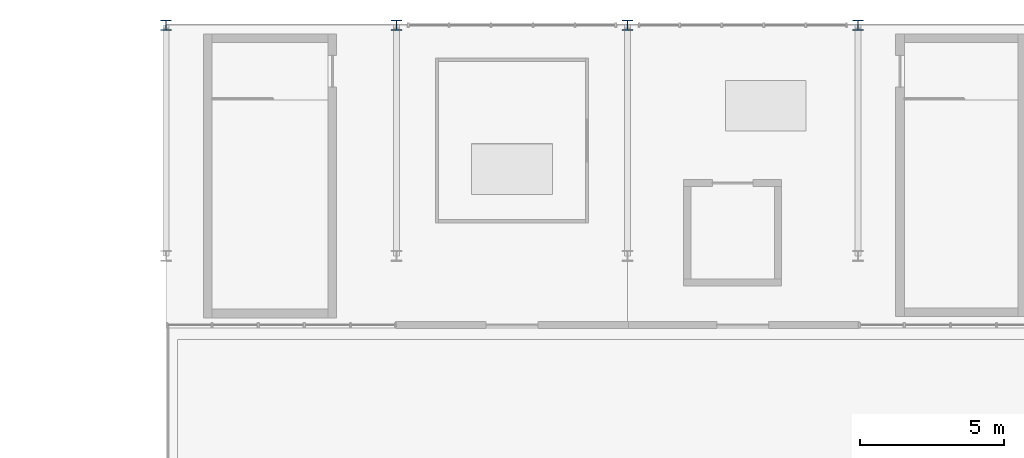
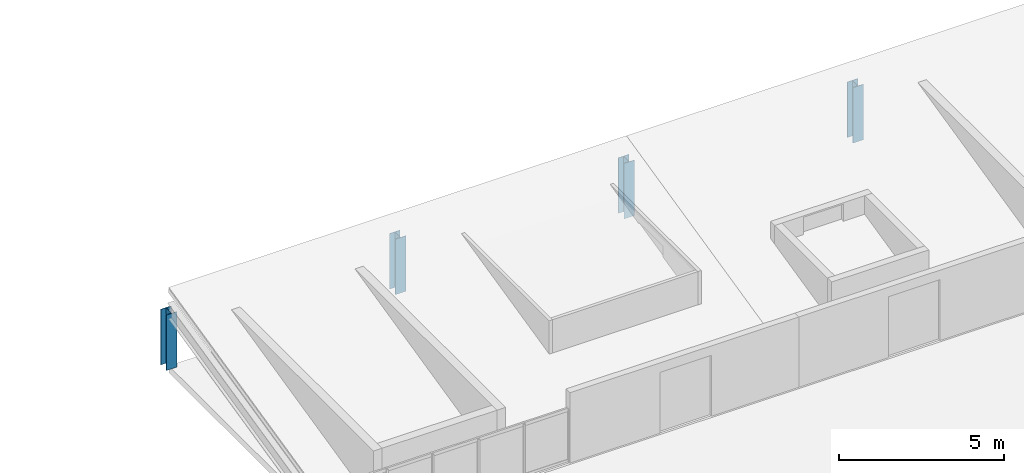
# One storey, part 10 of 83: 4 columns.
"""IFC4 building model written with IfcOpenShell, lengths in metres."""

from ifc_helpers import new_model, si_unit, direction, frame, origin, origin_2d, place, context, subcontext, project, spatial, i_section, extrude, material, material_profile, profile_set, type_object, element, save


model = new_model("IFC4")

# Units and contexts
model_context = context("Model", 3, precision=1e-05, world=origin(), true_north=direction((0.0, 1.0)))
body_context = subcontext(model_context, "Body", "Model", "MODEL_VIEW")
ifc_project = project(units=[si_unit("LENGTHUNIT", "METRE"), si_unit("AREAUNIT", "SQUARE_METRE"), si_unit("VOLUMEUNIT", "CUBIC_METRE"), si_unit("PLANEANGLEUNIT", "RADIAN"), si_unit("MASSUNIT", "GRAM", prefix="KILO")], contexts=[model_context])

# Site, building, storey
site_placement = place(None, origin())
site = spatial("IfcSite", under=ifc_project, at=site_placement, CompositionType="ELEMENT")
building_placement = place(site_placement, origin())
building = spatial("IfcBuilding", under=site, at=building_placement, Name="Drelvath Fold Interchange", CompositionType="ELEMENT")
storey_placement = place(building_placement, frame((0.0, 0.0, 11.199951171875)))
storey = spatial("IfcBuildingStorey", under=building, at=storey_placement, Name="L02", CompositionType="ELEMENT", Elevation=11.199951171875)

# Columns
ifc_material = material(Name="Steel ASTM A992 Grade 50", Category="steel")
ifc_material_profile = material_profile(ifc_material, i_section(OverallWidth=0.368896484375, OverallDepth=0.35595703125, WebThickness=0.01123046875, FlangeThickness=0.01806640625, at=origin_2d()), Name="W14X90")
ifc_profile_set = profile_set([ifc_material_profile], Name="Steel ASTM A992 Grade 50")
column_type = type_object("IfcColumnType", Name="COL-W14X90", PredefinedType="COLUMN", material=ifc_profile_set)
for number, where, z_axis, x_axis, name in (
    (1, (102.0, 107.0, 0.0), (0.0, 0.0, 1.0), (1.0, 0.0, 0.0), "L02 column (102,107)"),
    (2, (110.0, 107.0, 0.0), (0.0, 0.0, 1.0), (1.0, 0.0, 0.0), "L02 column (110,107)"),
    (3, (118.0, 107.0, 0.0), (0.0, 0.0, 1.0), (1.0, 0.0, 0.0), "L02 column (118,107)"),
    (4, (126.0, 107.0, 0.0), (0.0, 0.0, 1.0), (1.0, 0.0, 0.0), "L02 column (126,107)"),
):
    element("IfcColumn", number, at=place(storey_placement, frame(where, z_axis=z_axis, x_axis=x_axis)), inside=storey, type_object=column_type, Name=name, PredefinedType="COLUMN", context=body_context, shape_type="SweptSolid", body=[
        extrude(i_section(OverallWidth=0.368896484375, OverallDepth=0.35595703125, WebThickness=0.01123046875, FlangeThickness=0.01806640625, at=origin_2d()), origin(), (0.0, 0.0, 1.0), 2.050048828125),
    ])

save(model, "model.ifc")
